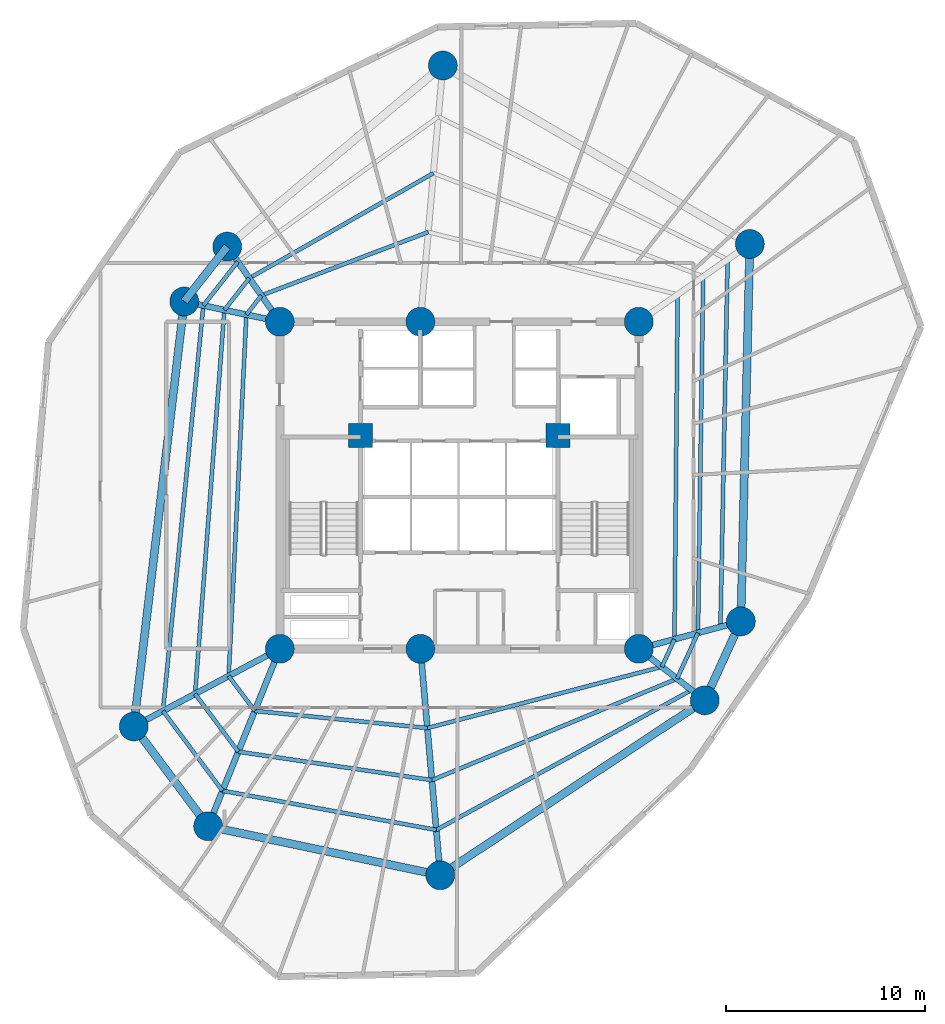
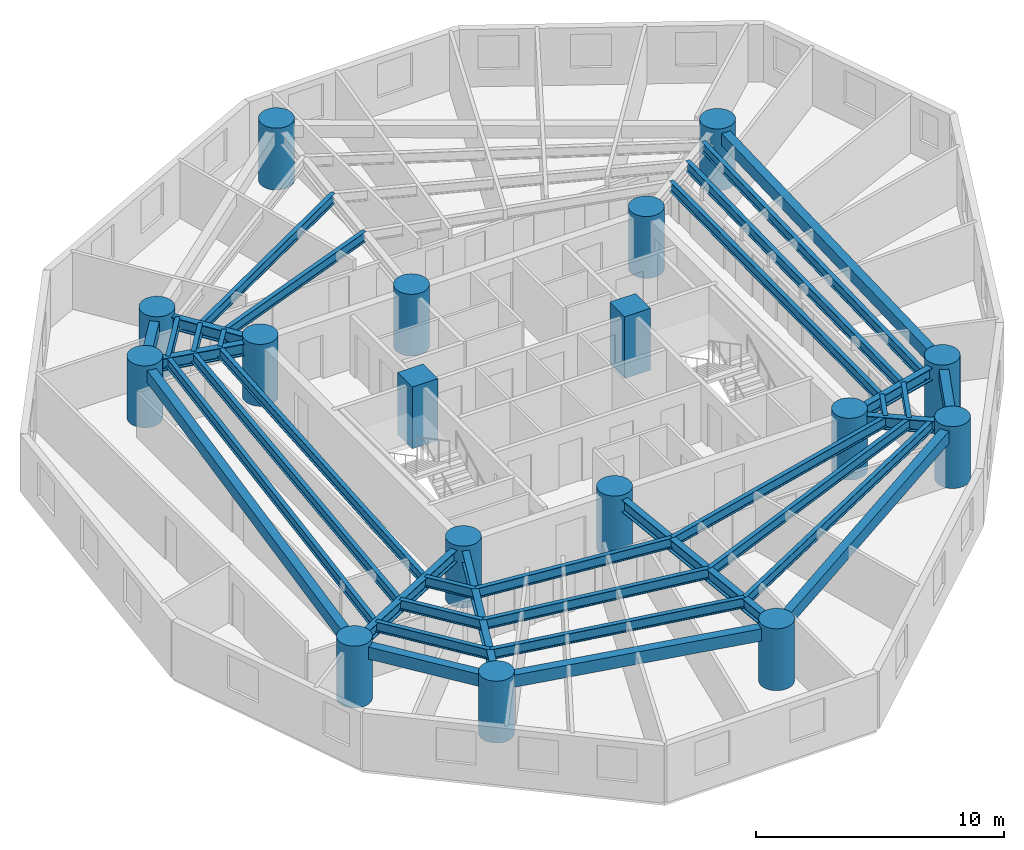
# One storey, part 1 of 8: 36 beams, 17 columns.
"""IFC4 building model written with IfcOpenShell, lengths in metres."""

from ifc_helpers import new_model, si_unit, direction, frame, origin, origin_with_axes, origin_2d, place, context, subcontext, project, spatial, rectangle, circle, i_section, extrude, source, transform, mapped, material, material_profile, profile_set, type_object, element, save


model = new_model("IFC4")

# Units and contexts
model_context = context("Model", 3, precision=1e-05, world=origin(), true_north=direction((0.0, 1.0)))
body_context = subcontext(model_context, "Body", "Model", "MODEL_VIEW")
ifc_project = project(units=[si_unit("LENGTHUNIT", "METRE"), si_unit("AREAUNIT", "SQUARE_METRE"), si_unit("VOLUMEUNIT", "CUBIC_METRE"), si_unit("PLANEANGLEUNIT", "RADIAN"), si_unit("MASSUNIT", "GRAM", prefix="KILO")], contexts=[model_context])

# Site, building, storey
site_placement = place(None, origin())
site = spatial("IfcSite", under=ifc_project, at=site_placement, CompositionType="ELEMENT")
building_placement = place(site_placement, origin())
building = spatial("IfcBuilding", under=site, at=building_placement, Name="Karkom Vertical University and Central Library", CompositionType="ELEMENT")
storey_placement = place(building_placement, frame((0.0, 0.0, 102.300048828125)))
storey = spatial("IfcBuildingStorey", under=building, at=storey_placement, Name="L27", CompositionType="ELEMENT", Elevation=102.300048828125)

# Columns
ifc_material_1 = material(Name="Concrete C50/60", Category="concrete")
ifc_material_profile_1 = material_profile(ifc_material_1, circle(Radius=0.72509765625, at=origin_2d()), Name="CFT-D1450")
ifc_profile_set_1 = profile_set([ifc_material_profile_1], Name="Concrete C50/60")
column_type_1 = type_object("IfcColumnType", Name="STR-COL-C-SC3", PredefinedType="COLUMN", material=ifc_profile_set_1)
shared_shape_1 = source(origin_with_axes(), body_context, "Body", "SweptSolid", [
    extrude(circle(Radius=0.72509765625, at=origin_2d()), origin(), (0.0, 0.0, 1.0), 3.050048828125),
])
for number, where, z_axis, x_axis, name in (
    (1, (19.5, 18.300048828125, 0.0), (0.0, 0.0, 1.0), (1.0, 0.0, 0.0), "Level 27 Spine Mega-Column SC-1"),
    (2, (26.550048828125, 18.300048828125, 0.0), (0.0, 0.0, 1.0), (1.0, 0.0, 0.0), "Level 27 Spine Mega-Column SC-2"),
    (3, (37.5, 18.300048828125, 0.0), (0.0, 0.0, 1.0), (1.0, 0.0, 0.0), "Level 27 Spine Mega-Column SC-3"),
    (4, (19.5, 34.699951171875, 0.0), (0.0, 0.0, 1.0), (1.0, 0.0, 0.0), "Level 27 Spine Mega-Column SC-4"),
    (5, (26.550048828125, 34.699951171875, 0.0), (0.0, 0.0, 1.0), (1.0, 0.0, 0.0), "Level 27 Spine Mega-Column SC-5"),
    (6, (37.5, 34.699951171875, 0.0), (0.0, 0.0, 1.0), (1.0, 0.0, 0.0), "Level 27 Spine Mega-Column SC-6"),
    (7, (42.618896484375, 19.672119140625, 0.0), (0.0, 0.0, 1.0), (1.0, 0.0, 0.0), "Level 27 Perimeter Mega-Column Z2-PC1"),
    (8, (43.070068359375, 38.60009765625, 0.0), (0.0, 0.0, 1.0), (1.0, 0.0, 0.0), "Level 27 Perimeter Mega-Column Z2-PC2"),
    (9, (27.674072265625, 47.551025390625, 0.0), (0.0, 0.0, 1.0), (1.0, 0.0, 0.0), "Level 27 Perimeter Mega-Column Z2-PC3"),
    (10, (16.862060546875, 38.468017578125, 0.0), (0.0, 0.0, 1.0), (1.0, 0.0, 0.0), "Level 27 Perimeter Mega-Column Z2-PC4"),
    (11, (14.70703125, 35.718994140625, 0.0), (0.0, 0.0, 1.0), (1.0, 0.0, 0.0), "Level 27 Perimeter Mega-Column Z2-PC5"),
    (12, (12.172119140625, 14.403076171875, 0.0), (0.0, 0.0, 1.0), (1.0, 0.0, 0.0), "Level 27 Perimeter Mega-Column Z2-PC6"),
    (13, (15.904052734375, 9.39892578125, 0.0), (0.0, 0.0, 1.0), (1.0, 0.0, 0.0), "Level 27 Perimeter Mega-Column Z2-PC7"),
    (14, (27.5439453125, 6.943115234375, 0.0), (0.0, 0.0, 1.0), (1.0, 0.0, 0.0), "Level 27 Perimeter Mega-Column Z2-PC8"),
    (15, (40.81005859375, 15.714111328125, 0.0), (0.0, 0.0, 1.0), (1.0, 0.0, 0.0), "Level 27 Perimeter Mega-Column Z2-PC9"),
):
    element("IfcColumn", number, at=place(storey_placement, frame(where, z_axis=z_axis, x_axis=x_axis)), inside=storey, type_object=column_type_1, Name=name, PredefinedType="COLUMN", context=body_context, shape_type="MappedRepresentation", body=[
        mapped(shared_shape_1, transform((0.0, 0.0, 0.0), scale=1.0)),
    ])
ifc_material_profile_2 = material_profile(ifc_material_1, rectangle(XDim=1.199951171875, YDim=1.199951171875, at=origin_2d()), Name="RC-1200x1200")
ifc_profile_set_2 = profile_set([ifc_material_profile_2], Name="Concrete C50/60")
column_type_2 = type_object("IfcColumnType", Name="STR-COL-C-CC1", PredefinedType="COLUMN", material=ifc_profile_set_2)
shared_shape_2 = source(origin_with_axes(), body_context, "Body", "SweptSolid", [
    extrude(rectangle(XDim=1.199951171875, YDim=1.199951171875, at=origin_2d()), origin(), (0.0, 0.0, 1.0), 3.050048828125),
])
for number, where, z_axis, x_axis, name in (
    (16, (23.550048828125, 29.0, 0.0), (0.0, 0.0, 1.0), (1.0, 0.0, 0.0), "Level 27 Core Node Column CC-1"),
    (17, (33.449951171875, 29.0, 0.0), (0.0, 0.0, 1.0), (1.0, 0.0, 0.0), "Level 27 Core Node Column CC-2"),
):
    element("IfcColumn", number, at=place(storey_placement, frame(where, z_axis=z_axis, x_axis=x_axis)), inside=storey, type_object=column_type_2, Name=name, PredefinedType="COLUMN", context=body_context, shape_type="MappedRepresentation", body=[
        mapped(shared_shape_2, transform((0.0, 0.0, 0.0), scale=1.0)),
    ])

# Beams
ifc_material_2 = material(Name="Precast concrete C45/55", Category="concrete")
ifc_material_profile_3 = material_profile(ifc_material_2, rectangle(XDim=0.39990234375, YDim=0.60009765625, at=origin_2d()), Name="SPB-400x600")
ifc_profile_set_3 = profile_set([ifc_material_profile_3], Name="Precast concrete C45/55")
beam_type_1 = type_object("IfcBeamType", Name="STR-BM-SP-1", PredefinedType="SPANDREL", material=ifc_profile_set_3)
shared_shape_3 = source(origin_with_axes(), body_context, "Body", "SweptSolid", [
    extrude(rectangle(XDim=0.39990234375, YDim=0.60009765625, at=origin_2d()), origin(), (0.0, 0.0, 1.0), 18.933349609375),
])
beam_1_placement = place(storey_placement, frame((42.618896484375, 19.672119140625, 2.52490234375), z_axis=(0.02382947333, 0.999716037783, 0.0), x_axis=(-0.999716037783, 0.02382947333, 0.0)))
element("IfcBeam", 18, at=beam_1_placement, inside=storey, type_object=beam_type_1, Name="Level 27 Perimeter Spandrel Beam 01", PredefinedType="SPANDREL", context=body_context, shape_type="MappedRepresentation", body=[
    mapped(shared_shape_3, transform((0.0, 0.0, 0.0), scale=1.0)),
])
shared_shape_4 = source(origin_with_axes(), body_context, "Body", "SweptSolid", [
    extrude(rectangle(XDim=0.39990234375, YDim=0.60009765625, at=origin_2d()), origin(), (0.0, 0.0, 1.0), 3.492919921875),
])
beam_2_placement = place(storey_placement, frame((16.862060546875, 38.468017578125, 2.52490234375), z_axis=(-0.616950700538, -0.787001799938, 0.0), x_axis=(0.787001799938, -0.616950700538, 0.0)))
element("IfcBeam", 19, at=beam_2_placement, inside=storey, type_object=beam_type_1, Name="Level 27 Perimeter Spandrel Beam 04", PredefinedType="SPANDREL", context=body_context, shape_type="MappedRepresentation", body=[
    mapped(shared_shape_4, transform((0.0, 0.0, 0.0), scale=1.0)),
])
shared_shape_5 = source(origin_with_axes(), body_context, "Body", "SweptSolid", [
    extrude(rectangle(XDim=0.39990234375, YDim=0.60009765625, at=origin_2d()), origin(), (0.0, 0.0, 1.0), 21.466064453125),
])
beam_3_placement = place(storey_placement, frame((14.70703125, 35.718994140625, 2.52490234375), z_axis=(-0.118088996795, -0.993003015522, 0.0), x_axis=(0.993003015522, -0.118088996795, 0.0)))
element("IfcBeam", 20, at=beam_3_placement, inside=storey, type_object=beam_type_1, Name="Level 27 Perimeter Spandrel Beam 05", PredefinedType="SPANDREL", context=body_context, shape_type="MappedRepresentation", body=[
    mapped(shared_shape_5, transform((0.0, 0.0, 0.0), scale=1.0)),
])
shared_shape_6 = source(origin_with_axes(), body_context, "Body", "SweptSolid", [
    extrude(rectangle(XDim=0.39990234375, YDim=0.60009765625, at=origin_2d()), origin(), (0.0, 0.0, 1.0), 6.242431640625),
])
beam_4_placement = place(storey_placement, frame((12.172119140625, 14.403076171875, 2.52490234375), z_axis=(0.59782643552, -0.801625569074, 0.0), x_axis=(0.801625569074, 0.59782643552, 0.0)))
element("IfcBeam", 21, at=beam_4_placement, inside=storey, type_object=beam_type_1, Name="Level 27 Perimeter Spandrel Beam 06", PredefinedType="SPANDREL", context=body_context, shape_type="MappedRepresentation", body=[
    mapped(shared_shape_6, transform((0.0, 0.0, 0.0), scale=1.0)),
])
shared_shape_7 = source(origin_with_axes(), body_context, "Body", "SweptSolid", [
    extrude(rectangle(XDim=0.39990234375, YDim=0.60009765625, at=origin_2d()), origin(), (0.0, 0.0, 1.0), 11.896240234375),
])
beam_5_placement = place(storey_placement, frame((15.904052734375, 9.39892578125, 2.52490234375), z_axis=(0.978459762135, -0.206437627101, 0.0), x_axis=(0.206437627101, 0.978459762135, 0.0)))
element("IfcBeam", 22, at=beam_5_placement, inside=storey, type_object=beam_type_1, Name="Level 27 Perimeter Spandrel Beam 07", PredefinedType="SPANDREL", context=body_context, shape_type="MappedRepresentation", body=[
    mapped(shared_shape_7, transform((0.0, 0.0, 0.0), scale=1.0)),
])
shared_shape_8 = source(origin_with_axes(), body_context, "Body", "SweptSolid", [
    extrude(rectangle(XDim=0.39990234375, YDim=0.60009765625, at=origin_2d()), origin(), (0.0, 0.0, 1.0), 15.903564453125),
])
beam_6_placement = place(storey_placement, frame((27.5439453125, 6.943115234375, 2.52490234375), z_axis=(0.834165069331, 0.551514856652, 0.0), x_axis=(-0.551514856652, 0.834165069331, 0.0)))
element("IfcBeam", 23, at=beam_6_placement, inside=storey, type_object=beam_type_1, Name="Level 27 Perimeter Spandrel Beam 08", PredefinedType="SPANDREL", context=body_context, shape_type="MappedRepresentation", body=[
    mapped(shared_shape_8, transform((0.0, 0.0, 0.0), scale=1.0)),
])
shared_shape_9 = source(origin_with_axes(), body_context, "Body", "SweptSolid", [
    extrude(rectangle(XDim=0.39990234375, YDim=0.60009765625, at=origin_2d()), origin(), (0.0, 0.0, 1.0), 4.351806640625),
])
beam_7_placement = place(storey_placement, frame((40.81005859375, 15.714111328125, 2.52490234375), z_axis=(0.415657668422, 0.909521139217, 0.0), x_axis=(-0.909521139217, 0.415657668422, 0.0)))
element("IfcBeam", 24, at=beam_7_placement, inside=storey, type_object=beam_type_1, Name="Level 27 Perimeter Spandrel Beam 09", PredefinedType="SPANDREL", context=body_context, shape_type="MappedRepresentation", body=[
    mapped(shared_shape_9, transform((0.0, 0.0, 0.0), scale=1.0)),
])
ifc_material_3 = material(Name="Steel S355", Category="steel")
ifc_material_profile_4 = material_profile(ifc_material_3, i_section(OverallWidth=0.199951171875, OverallDepth=0.5, WebThickness=0.01025390625, FlangeThickness=0.01611328125, FilletRadius=0.02099609375, at=origin_2d()), Name="IPE 500")
ifc_profile_set_4 = profile_set([ifc_material_profile_4], Name="Steel S355")
beam_type_2 = type_object("IfcBeamType", Name="STR-BM-SB-IPE500", PredefinedType="BEAM", material=ifc_profile_set_4)
shared_shape_10 = source(origin_with_axes(), body_context, "Body", "SweptSolid", [
    extrude(i_section(OverallWidth=0.199951171875, OverallDepth=0.5, WebThickness=0.01025390625, FlangeThickness=0.01611328125, FilletRadius=0.02099609375, at=origin_2d()), origin(), (0.0, 0.0, 1.0), 17.285400390625),
])
beam_8_placement = place(storey_placement, frame((39.29150390625, 18.7802734375, 2.574951171875), z_axis=(0.009138294648, 0.999958244914, 0.0), x_axis=(-0.999958244914, 0.009138294648, 0.0)))
element("IfcBeam", 25, at=beam_8_placement, inside=storey, type_object=beam_type_2, Name="Level 27 Secondary Composite Floor Beam 1.01", PredefinedType="BEAM", context=body_context, shape_type="MappedRepresentation", body=[
    mapped(shared_shape_10, transform((0.0, 0.0, 0.0), scale=1.0)),
])
shared_shape_11 = source(origin_with_axes(), body_context, "Body", "SweptSolid", [
    extrude(i_section(OverallWidth=0.199951171875, OverallDepth=0.5, WebThickness=0.01025390625, FlangeThickness=0.01611328125, FilletRadius=0.02099609375, at=origin_2d()), origin(), (0.0, 0.0, 1.0), 8.950439453125),
])
beam_9_placement = place(storey_placement, frame((26.943359375, 39.197998046875, 2.574951171875), z_axis=(-0.93478901494, -0.355203459368, 0.0), x_axis=(0.355203459368, -0.93478901494, 0.0)))
element("IfcBeam", 26, at=beam_9_placement, inside=storey, type_object=beam_type_2, Name="Level 27 Secondary Composite Floor Beam 1.03", PredefinedType="BEAM", context=body_context, shape_type="MappedRepresentation", body=[
    mapped(shared_shape_11, transform((0.0, 0.0, 0.0), scale=1.0)),
])
shared_shape_12 = source(origin_with_axes(), body_context, "Body", "SweptSolid", [
    extrude(i_section(OverallWidth=0.199951171875, OverallDepth=0.5, WebThickness=0.01025390625, FlangeThickness=0.01611328125, FilletRadius=0.02099609375, at=origin_2d()), origin(), (0.0, 0.0, 1.0), 1.222412109375),
])
beam_10_placement = place(storey_placement, frame((18.57666015625, 36.018798828125, 2.574951171875), z_axis=(-0.616895037184, -0.787045432677, 0.0), x_axis=(0.787045432677, -0.616895037184, 0.0)))
element("IfcBeam", 27, at=beam_10_placement, inside=storey, type_object=beam_type_2, Name="Level 27 Secondary Composite Floor Beam 1.04", PredefinedType="BEAM", context=body_context, shape_type="MappedRepresentation", body=[
    mapped(shared_shape_12, transform((0.0, 0.0, 0.0), scale=1.0)),
])
shared_shape_13 = source(origin_with_axes(), body_context, "Body", "SweptSolid", [
    extrude(i_section(OverallWidth=0.199951171875, OverallDepth=0.5, WebThickness=0.01025390625, FlangeThickness=0.01611328125, FilletRadius=0.02099609375, at=origin_2d()), origin(), (0.0, 0.0, 1.0), 18.142333984375),
])
beam_11_placement = place(storey_placement, frame((17.822509765625, 35.056640625, 2.574951171875), z_axis=(-0.048902644774, -0.998803549921, 0.0), x_axis=(0.998803549921, -0.048902644774, 0.0)))
element("IfcBeam", 28, at=beam_11_placement, inside=storey, type_object=beam_type_2, Name="Level 27 Secondary Composite Floor Beam 1.05", PredefinedType="BEAM", context=body_context, shape_type="MappedRepresentation", body=[
    mapped(shared_shape_13, transform((0.0, 0.0, 0.0), scale=1.0)),
])
shared_shape_14 = source(origin_with_axes(), body_context, "Body", "SweptSolid", [
    extrude(i_section(OverallWidth=0.199951171875, OverallDepth=0.5, WebThickness=0.01025390625, FlangeThickness=0.01611328125, FilletRadius=0.02099609375, at=origin_2d()), origin(), (0.0, 0.0, 1.0), 2.1845703125),
])
beam_12_placement = place(storey_placement, frame((16.935302734375, 16.93603515625, 2.574951171875), z_axis=(0.597870130664, -0.801592980795, 0.0), x_axis=(0.801592980795, 0.597870130664, 0.0)))
element("IfcBeam", 29, at=beam_12_placement, inside=storey, type_object=beam_type_2, Name="Level 27 Secondary Composite Floor Beam 1.06", PredefinedType="BEAM", context=body_context, shape_type="MappedRepresentation", body=[
    mapped(shared_shape_14, transform((0.0, 0.0, 0.0), scale=1.0)),
])
shared_shape_15 = source(origin_with_axes(), body_context, "Body", "SweptSolid", [
    extrude(i_section(OverallWidth=0.199951171875, OverallDepth=0.5, WebThickness=0.01025390625, FlangeThickness=0.01611328125, FilletRadius=0.02099609375, at=origin_2d()), origin(), (0.0, 0.0, 1.0), 8.698974609375),
])
beam_13_placement = place(storey_placement, frame((18.241455078125, 15.184814453125, 2.574951171875), z_axis=(0.995105588045, -0.098817349903, 0.0), x_axis=(0.098817349903, 0.995105588045, 0.0)))
element("IfcBeam", 30, at=beam_13_placement, inside=storey, type_object=beam_type_2, Name="Level 27 Secondary Composite Floor Beam 1.07", PredefinedType="BEAM", context=body_context, shape_type="MappedRepresentation", body=[
    mapped(shared_shape_15, transform((0.0, 0.0, 0.0), scale=1.0)),
])
shared_shape_16 = source(origin_with_axes(), body_context, "Body", "SweptSolid", [
    extrude(i_section(OverallWidth=0.199951171875, OverallDepth=0.5, WebThickness=0.01025390625, FlangeThickness=0.01611328125, FilletRadius=0.02099609375, at=origin_2d()), origin(), (0.0, 0.0, 1.0), 12.154541015625),
])
beam_14_placement = place(storey_placement, frame((26.89794921875, 14.3251953125, 2.574951171875), z_axis=(0.967579719768, 0.252565805077, 0.0), x_axis=(-0.252565805077, 0.967579719768, 0.0)))
element("IfcBeam", 31, at=beam_14_placement, inside=storey, type_object=beam_type_2, Name="Level 27 Secondary Composite Floor Beam 1.08", PredefinedType="BEAM", context=body_context, shape_type="MappedRepresentation", body=[
    mapped(shared_shape_16, transform((0.0, 0.0, 0.0), scale=1.0)),
])
shared_shape_17 = source(origin_with_axes(), body_context, "Body", "SweptSolid", [
    extrude(i_section(OverallWidth=0.199951171875, OverallDepth=0.5, WebThickness=0.01025390625, FlangeThickness=0.01611328125, FilletRadius=0.02099609375, at=origin_2d()), origin(), (0.0, 0.0, 1.0), 1.52294921875),
])
beam_15_placement = place(storey_placement, frame((38.658447265625, 17.39501953125, 2.574951171875), z_axis=(0.415649898107, 0.909524690266, 0.0), x_axis=(-0.909524690266, 0.415649898107, 0.0)))
element("IfcBeam", 32, at=beam_15_placement, inside=storey, type_object=beam_type_2, Name="Level 27 Secondary Composite Floor Beam 1.09", PredefinedType="BEAM", context=body_context, shape_type="MappedRepresentation", body=[
    mapped(shared_shape_17, transform((0.0, 0.0, 0.0), scale=1.0)),
])
shared_shape_18 = source(origin_with_axes(), body_context, "Body", "SweptSolid", [
    extrude(i_section(OverallWidth=0.199951171875, OverallDepth=0.5, WebThickness=0.01025390625, FlangeThickness=0.01611328125, FilletRadius=0.02099609375, at=origin_2d()), origin(), (0.0, 0.0, 1.0), 17.8681640625),
])
beam_16_placement = place(storey_placement, frame((40.468994140625, 19.095703125, 2.574951171875), z_axis=(0.014647239676, 0.999892723431, 0.0), x_axis=(-0.999892723431, 0.014647239676, 0.0)))
element("IfcBeam", 33, at=beam_16_placement, inside=storey, type_object=beam_type_2, Name="Level 27 Secondary Composite Floor Beam 2.01", PredefinedType="BEAM", context=body_context, shape_type="MappedRepresentation", body=[
    mapped(shared_shape_18, transform((0.0, 0.0, 0.0), scale=1.0)),
])
shared_shape_19 = source(origin_with_axes(), body_context, "Body", "SweptSolid", [
    extrude(i_section(OverallWidth=0.199951171875, OverallDepth=0.5, WebThickness=0.01025390625, FlangeThickness=0.01611328125, FilletRadius=0.02099609375, at=origin_2d()), origin(), (0.0, 0.0, 1.0), 10.629150390625),
])
beam_17_placement = place(storey_placement, frame((27.201904296875, 42.153564453125, 2.574951171875), z_axis=(-0.868539813491, -0.495619402748, 0.0), x_axis=(0.495619402748, -0.868539813491, 0.0)))
element("IfcBeam", 34, at=beam_17_placement, inside=storey, type_object=beam_type_2, Name="Level 27 Secondary Composite Floor Beam 2.03", PredefinedType="BEAM", context=body_context, shape_type="MappedRepresentation", body=[
    mapped(shared_shape_19, transform((0.0, 0.0, 0.0), scale=1.0)),
])
shared_shape_20 = source(origin_with_axes(), body_context, "Body", "SweptSolid", [
    extrude(i_section(OverallWidth=0.199951171875, OverallDepth=0.5, WebThickness=0.01025390625, FlangeThickness=0.01611328125, FilletRadius=0.02099609375, at=origin_2d()), origin(), (0.0, 0.0, 1.0), 2.02587890625),
])
beam_18_placement = place(storey_placement, frame((17.969970703125, 36.885498046875, 2.574951171875), z_axis=(-0.616889733535, -0.787049589708, 0.0), x_axis=(0.787049589708, -0.616889733535, 0.0)))
element("IfcBeam", 35, at=beam_18_placement, inside=storey, type_object=beam_type_2, Name="Level 27 Secondary Composite Floor Beam 2.04", PredefinedType="BEAM", context=body_context, shape_type="MappedRepresentation", body=[
    mapped(shared_shape_20, transform((0.0, 0.0, 0.0), scale=1.0)),
])
shared_shape_21 = source(origin_with_axes(), body_context, "Body", "SweptSolid", [
    extrude(i_section(OverallWidth=0.199951171875, OverallDepth=0.5, WebThickness=0.01025390625, FlangeThickness=0.01611328125, FilletRadius=0.02099609375, at=origin_2d()), origin(), (0.0, 0.0, 1.0), 19.307373046875),
])
beam_19_placement = place(storey_placement, frame((16.72021484375, 35.291015625, 2.574951171875), z_axis=(-0.07616078645, -0.997095549387, 0.0), x_axis=(0.997095549387, -0.07616078645, 0.0)))
element("IfcBeam", 36, at=beam_19_placement, inside=storey, type_object=beam_type_2, Name="Level 27 Secondary Composite Floor Beam 2.05", PredefinedType="BEAM", context=body_context, shape_type="MappedRepresentation", body=[
    mapped(shared_shape_21, transform((0.0, 0.0, 0.0), scale=1.0)),
])
shared_shape_22 = source(origin_with_axes(), body_context, "Body", "SweptSolid", [
    extrude(i_section(OverallWidth=0.199951171875, OverallDepth=0.5, WebThickness=0.01025390625, FlangeThickness=0.01611328125, FilletRadius=0.02099609375, at=origin_2d()), origin(), (0.0, 0.0, 1.0), 3.62060546875),
])
beam_20_placement = place(storey_placement, frame((15.249755859375, 16.039794921875, 2.574951171875), z_axis=(0.59784003707, -0.801615425298, 0.0), x_axis=(0.801615425298, 0.59784003707, 0.0)))
element("IfcBeam", 37, at=beam_20_placement, inside=storey, type_object=beam_type_2, Name="Level 27 Secondary Composite Floor Beam 2.06", PredefinedType="BEAM", context=body_context, shape_type="MappedRepresentation", body=[
    mapped(shared_shape_22, transform((0.0, 0.0, 0.0), scale=1.0)),
])
shared_shape_23 = source(origin_with_axes(), body_context, "Body", "SweptSolid", [
    extrude(i_section(OverallWidth=0.199951171875, OverallDepth=0.5, WebThickness=0.01025390625, FlangeThickness=0.01611328125, FilletRadius=0.02099609375, at=origin_2d()), origin(), (0.0, 0.0, 1.0), 9.816162109375),
])
beam_21_placement = place(storey_placement, frame((17.414306640625, 13.137451171875, 2.574951171875), z_axis=(0.989413295367, -0.145125225069, 0.0), x_axis=(0.145125225069, 0.989413295367, 0.0)))
element("IfcBeam", 38, at=beam_21_placement, inside=storey, type_object=beam_type_2, Name="Level 27 Secondary Composite Floor Beam 2.07", PredefinedType="BEAM", context=body_context, shape_type="MappedRepresentation", body=[
    mapped(shared_shape_23, transform((0.0, 0.0, 0.0), scale=1.0)),
])
shared_shape_24 = source(origin_with_axes(), body_context, "Body", "SweptSolid", [
    extrude(i_section(OverallWidth=0.199951171875, OverallDepth=0.5, WebThickness=0.01025390625, FlangeThickness=0.01611328125, FilletRadius=0.02099609375, at=origin_2d()), origin(), (0.0, 0.0, 1.0), 13.304443359375),
])
beam_22_placement = place(storey_placement, frame((27.12646484375, 11.712890625, 2.574951171875), z_axis=(0.924011243398, 0.382365299255, 0.0), x_axis=(-0.382365299255, 0.924011243398, 0.0)))
element("IfcBeam", 39, at=beam_22_placement, inside=storey, type_object=beam_type_2, Name="Level 27 Secondary Composite Floor Beam 2.08", PredefinedType="BEAM", context=body_context, shape_type="MappedRepresentation", body=[
    mapped(shared_shape_24, transform((0.0, 0.0, 0.0), scale=1.0)),
])
shared_shape_25 = source(origin_with_axes(), body_context, "Body", "SweptSolid", [
    extrude(i_section(OverallWidth=0.199951171875, OverallDepth=0.5, WebThickness=0.01025390625, FlangeThickness=0.01611328125, FilletRadius=0.02099609375, at=origin_2d()), origin(), (0.0, 0.0, 1.0), 2.52392578125),
])
beam_23_placement = place(storey_placement, frame((39.419921875, 16.800048828125, 2.574951171875), z_axis=(0.415638602127, 0.909529852408, 0.0), x_axis=(-0.909529852408, 0.415638602127, 0.0)))
element("IfcBeam", 40, at=beam_23_placement, inside=storey, type_object=beam_type_2, Name="Level 27 Secondary Composite Floor Beam 2.09", PredefinedType="BEAM", context=body_context, shape_type="MappedRepresentation", body=[
    mapped(shared_shape_25, transform((0.0, 0.0, 0.0), scale=1.0)),
])
shared_shape_26 = source(origin_with_axes(), body_context, "Body", "SweptSolid", [
    extrude(i_section(OverallWidth=0.199951171875, OverallDepth=0.5, WebThickness=0.01025390625, FlangeThickness=0.01611328125, FilletRadius=0.02099609375, at=origin_2d()), origin(), (0.0, 0.0, 1.0), 18.42578125),
])
beam_24_placement = place(storey_placement, frame((41.59521484375, 19.397705078125, 2.574951171875), z_axis=(0.019583298818, 0.999808228816, 0.0), x_axis=(-0.999808228816, 0.019583298818, 0.0)))
element("IfcBeam", 41, at=beam_24_placement, inside=storey, type_object=beam_type_2, Name="Level 27 Secondary Composite Floor Beam 3.01", PredefinedType="BEAM", context=body_context, shape_type="MappedRepresentation", body=[
    mapped(shared_shape_26, transform((0.0, 0.0, 0.0), scale=1.0)),
])
shared_shape_27 = source(origin_with_axes(), body_context, "Body", "SweptSolid", [
    extrude(i_section(OverallWidth=0.199951171875, OverallDepth=0.5, WebThickness=0.01025390625, FlangeThickness=0.01611328125, FilletRadius=0.02099609375, at=origin_2d()), origin(), (0.0, 0.0, 1.0), 2.79443359375),
])
beam_25_placement = place(storey_placement, frame((17.3896484375, 37.71435546875, 2.574951171875), z_axis=(-0.616972344898, -0.786984831894, 0.0), x_axis=(0.786984831894, -0.616972344898, 0.0)))
element("IfcBeam", 42, at=beam_25_placement, inside=storey, type_object=beam_type_2, Name="Level 27 Secondary Composite Floor Beam 3.04", PredefinedType="BEAM", context=body_context, shape_type="MappedRepresentation", body=[
    mapped(shared_shape_27, transform((0.0, 0.0, 0.0), scale=1.0)),
])
shared_shape_28 = source(origin_with_axes(), body_context, "Body", "SweptSolid", [
    extrude(i_section(OverallWidth=0.199951171875, OverallDepth=0.5, WebThickness=0.01025390625, FlangeThickness=0.01611328125, FilletRadius=0.02099609375, at=origin_2d()), origin(), (0.0, 0.0, 1.0), 20.43359375),
])
beam_26_placement = place(storey_placement, frame((15.66552734375, 35.51513671875, 2.574951171875), z_axis=(-0.099239913611, -0.995063535432, 0.0), x_axis=(0.995063535432, -0.099239913611, 0.0)))
element("IfcBeam", 43, at=beam_26_placement, inside=storey, type_object=beam_type_2, Name="Level 27 Secondary Composite Floor Beam 3.05", PredefinedType="BEAM", context=body_context, shape_type="MappedRepresentation", body=[
    mapped(shared_shape_28, transform((0.0, 0.0, 0.0), scale=1.0)),
])
shared_shape_29 = source(origin_with_axes(), body_context, "Body", "SweptSolid", [
    extrude(i_section(OverallWidth=0.199951171875, OverallDepth=0.5, WebThickness=0.01025390625, FlangeThickness=0.01611328125, FilletRadius=0.02099609375, at=origin_2d()), origin(), (0.0, 0.0, 1.0), 4.993896484375),
])
beam_27_placement = place(storey_placement, frame((13.6376953125, 15.182373046875, 2.574951171875), z_axis=(0.597846775537, -0.801610399745, 0.0), x_axis=(0.801610399745, 0.597846775537, 0.0)))
element("IfcBeam", 44, at=beam_27_placement, inside=storey, type_object=beam_type_2, Name="Level 27 Secondary Composite Floor Beam 3.06", PredefinedType="BEAM", context=body_context, shape_type="MappedRepresentation", body=[
    mapped(shared_shape_29, transform((0.0, 0.0, 0.0), scale=1.0)),
])
shared_shape_30 = source(origin_with_axes(), body_context, "Body", "SweptSolid", [
    extrude(i_section(OverallWidth=0.199951171875, OverallDepth=0.5, WebThickness=0.01025390625, FlangeThickness=0.01611328125, FilletRadius=0.02099609375, at=origin_2d()), origin(), (0.0, 0.0, 1.0), 10.900390625),
])
beam_28_placement = place(storey_placement, frame((16.623291015625, 11.17919921875, 2.574951171875), z_axis=(0.98362026014, -0.180253110495, 0.0), x_axis=(0.180253110495, 0.98362026014, 0.0)))
element("IfcBeam", 45, at=beam_28_placement, inside=storey, type_object=beam_type_2, Name="Level 27 Secondary Composite Floor Beam 3.07", PredefinedType="BEAM", context=body_context, shape_type="MappedRepresentation", body=[
    mapped(shared_shape_30, transform((0.0, 0.0, 0.0), scale=1.0)),
])
shared_shape_31 = source(origin_with_axes(), body_context, "Body", "SweptSolid", [
    extrude(i_section(OverallWidth=0.199951171875, OverallDepth=0.5, WebThickness=0.01025390625, FlangeThickness=0.01611328125, FilletRadius=0.02099609375, at=origin_2d()), origin(), (0.0, 0.0, 1.0), 14.599609375),
])
beam_29_placement = place(storey_placement, frame((27.34521484375, 9.21435546875, 2.574951171875), z_axis=(0.876928143127, 0.480621505752, 0.0), x_axis=(-0.480621505752, 0.876928143127, 0.0)))
element("IfcBeam", 46, at=beam_29_placement, inside=storey, type_object=beam_type_2, Name="Level 27 Secondary Composite Floor Beam 3.08", PredefinedType="BEAM", context=body_context, shape_type="MappedRepresentation", body=[
    mapped(shared_shape_31, transform((0.0, 0.0, 0.0), scale=1.0)),
])
ifc_material_profile_5 = material_profile(ifc_material_3, i_section(OverallWidth=0.300048828125, OverallDepth=0.60009765625, WebThickness=0.015380859375, FlangeThickness=0.030029296875, FilletRadius=0.027099609375, at=origin_2d()), Name="HE 600 B")
ifc_profile_set_5 = profile_set([ifc_material_profile_5], Name="Steel S355")
beam_type_3 = type_object("IfcBeamType", Name="STR-BM-SB-HE600", PredefinedType="USERDEFINED", material=ifc_profile_set_5)
shared_shape_32 = source(origin_with_axes(), body_context, "Body", "SweptSolid", [
    extrude(i_section(OverallWidth=0.300048828125, OverallDepth=0.60009765625, WebThickness=0.015380859375, FlangeThickness=0.030029296875, FilletRadius=0.027099609375, at=origin_2d()), origin(), (0.0, 0.0, 1.0), 5.299560546875),
])
beam_30_placement = place(storey_placement, frame((37.5, 18.300048828125, 2.52490234375), z_axis=(0.965903833688, 0.258901108663, 0.0), x_axis=(-0.258901108663, 0.965903833688, 0.0)))
element("IfcBeam", 47, at=beam_30_placement, inside=storey, type_object=beam_type_3, Name="Level 27 Radial Frame Girder 01", ObjectType="GIRDER", PredefinedType="USERDEFINED", context=body_context, shape_type="MappedRepresentation", body=[
    mapped(shared_shape_32, transform((0.0, 0.0, 0.0), scale=1.0)),
])
shared_shape_33 = source(origin_with_axes(), body_context, "Body", "SweptSolid", [
    extrude(i_section(OverallWidth=0.300048828125, OverallDepth=0.60009765625, WebThickness=0.015380859375, FlangeThickness=0.030029296875, FilletRadius=0.027099609375, at=origin_2d()), origin(), (0.0, 0.0, 1.0), 4.599609375),
])
beam_31_placement = place(storey_placement, frame((19.5, 34.699951171875, 2.52490234375), z_axis=(-0.573505090764, 0.819201996377, 0.0), x_axis=(-0.819201996377, -0.573505090764, 0.0)))
element("IfcBeam", 48, at=beam_31_placement, inside=storey, type_object=beam_type_3, Name="Level 27 Radial Frame Girder 04", ObjectType="GIRDER", PredefinedType="USERDEFINED", context=body_context, shape_type="MappedRepresentation", body=[
    mapped(shared_shape_33, transform((0.0, 0.0, 0.0), scale=1.0)),
])
shared_shape_34 = source(origin_with_axes(), body_context, "Body", "SweptSolid", [
    extrude(i_section(OverallWidth=0.300048828125, OverallDepth=0.60009765625, WebThickness=0.015380859375, FlangeThickness=0.030029296875, FilletRadius=0.027099609375, at=origin_2d()), origin(), (0.0, 0.0, 1.0), 4.900146484375),
])
beam_32_placement = place(storey_placement, frame((19.5, 34.699951171875, 2.52490234375), z_axis=(-0.978136559131, 0.207963630695, 0.0), x_axis=(-0.207963630695, -0.978136559131, 0.0)))
element("IfcBeam", 49, at=beam_32_placement, inside=storey, type_object=beam_type_3, Name="Level 27 Radial Frame Girder 05", ObjectType="GIRDER", PredefinedType="USERDEFINED", context=body_context, shape_type="MappedRepresentation", body=[
    mapped(shared_shape_34, transform((0.0, 0.0, 0.0), scale=1.0)),
])
shared_shape_35 = source(origin_with_axes(), body_context, "Body", "SweptSolid", [
    extrude(i_section(OverallWidth=0.300048828125, OverallDepth=0.60009765625, WebThickness=0.015380859375, FlangeThickness=0.030029296875, FilletRadius=0.027099609375, at=origin_2d()), origin(), (0.0, 0.0, 1.0), 8.299560546875),
])
beam_33_placement = place(storey_placement, frame((19.5, 18.300048828125, 2.52490234375), z_axis=(-0.882914163564, -0.469534428746, 0.0), x_axis=(0.469534428746, -0.882914163564, 0.0)))
element("IfcBeam", 50, at=beam_33_placement, inside=storey, type_object=beam_type_3, Name="Level 27 Radial Frame Girder 06", ObjectType="GIRDER", PredefinedType="USERDEFINED", context=body_context, shape_type="MappedRepresentation", body=[
    mapped(shared_shape_35, transform((0.0, 0.0, 0.0), scale=1.0)),
])
shared_shape_36 = source(origin_with_axes(), body_context, "Body", "SweptSolid", [
    extrude(i_section(OverallWidth=0.300048828125, OverallDepth=0.60009765625, WebThickness=0.015380859375, FlangeThickness=0.030029296875, FilletRadius=0.027099609375, at=origin_2d()), origin(), (0.0, 0.0, 1.0), 9.60009765625),
])
beam_34_placement = place(storey_placement, frame((19.5, 18.300048828125, 2.52490234375), z_axis=(-0.374576157034, -0.927196151082, 0.0), x_axis=(0.927196151082, -0.374576157034, 0.0)))
element("IfcBeam", 51, at=beam_34_placement, inside=storey, type_object=beam_type_3, Name="Level 27 Radial Frame Girder 07", ObjectType="GIRDER", PredefinedType="USERDEFINED", context=body_context, shape_type="MappedRepresentation", body=[
    mapped(shared_shape_36, transform((0.0, 0.0, 0.0), scale=1.0)),
])
shared_shape_37 = source(origin_with_axes(), body_context, "Body", "SweptSolid", [
    extrude(i_section(OverallWidth=0.300048828125, OverallDepth=0.60009765625, WebThickness=0.015380859375, FlangeThickness=0.030029296875, FilletRadius=0.027099609375, at=origin_2d()), origin(), (0.0, 0.0, 1.0), 11.400390625),
])
beam_35_placement = place(storey_placement, frame((26.550048828125, 18.300048828125, 2.52490234375), z_axis=(0.087181295702, -0.996192462168, 0.0), x_axis=(0.996192462168, 0.087181295702, 0.0)))
element("IfcBeam", 52, at=beam_35_placement, inside=storey, type_object=beam_type_3, Name="Level 27 Radial Frame Girder 08", ObjectType="GIRDER", PredefinedType="USERDEFINED", context=body_context, shape_type="MappedRepresentation", body=[
    mapped(shared_shape_37, transform((0.0, 0.0, 0.0), scale=1.0)),
])
shared_shape_38 = source(origin_with_axes(), body_context, "Body", "SweptSolid", [
    extrude(i_section(OverallWidth=0.300048828125, OverallDepth=0.60009765625, WebThickness=0.015380859375, FlangeThickness=0.030029296875, FilletRadius=0.027099609375, at=origin_2d()), origin(), (0.0, 0.0, 1.0), 4.200439453125),
])
beam_36_placement = place(storey_placement, frame((37.5, 18.300048828125, 2.52490234375), z_axis=(0.788029660796, -0.615637274461, 0.0), x_axis=(0.615637274461, 0.788029660796, 0.0)))
element("IfcBeam", 53, at=beam_36_placement, inside=storey, type_object=beam_type_3, Name="Level 27 Radial Frame Girder 09", ObjectType="GIRDER", PredefinedType="USERDEFINED", context=body_context, shape_type="MappedRepresentation", body=[
    mapped(shared_shape_38, transform((0.0, 0.0, 0.0), scale=1.0)),
])

save(model, "model.ifc")
